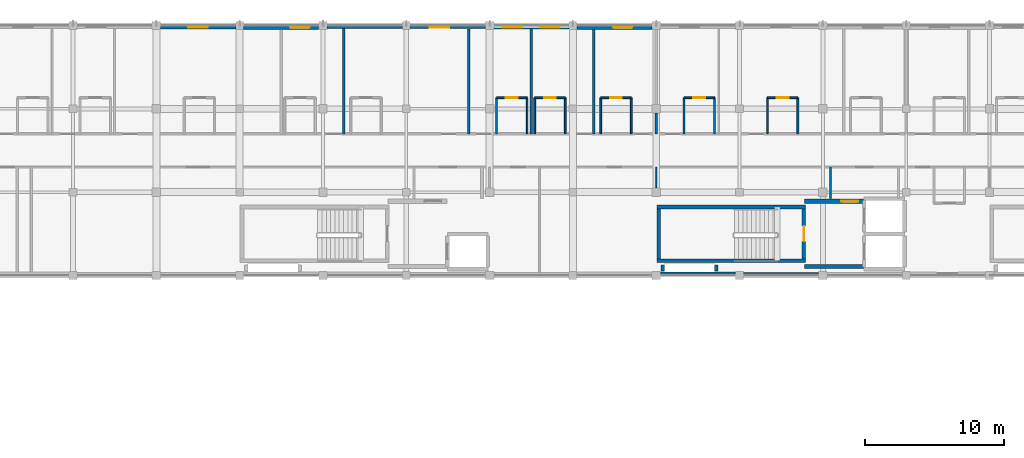
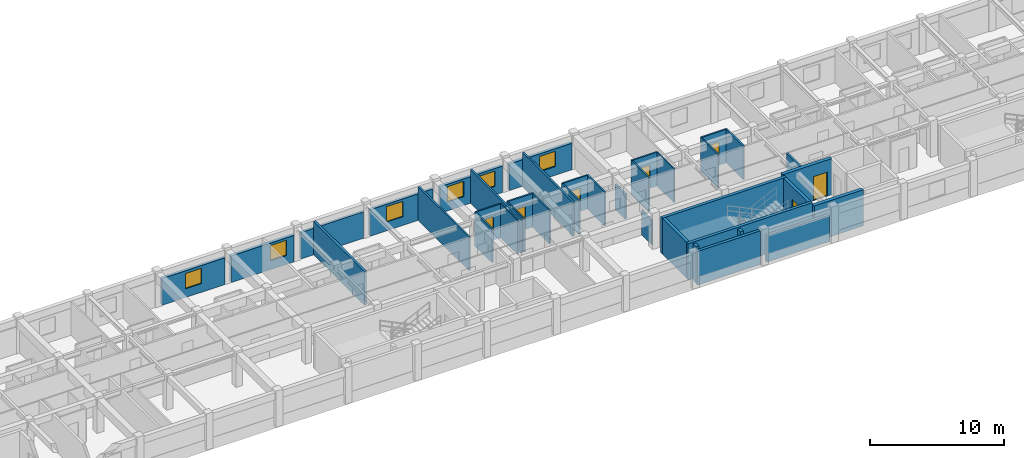
# One storey, part 13 of 21: 38 walls, 7 doors, 6 windows, 13 openings.
"""IFC4 building model written with IfcOpenShell, lengths in metres."""

from ifc_helpers import new_model, si_unit, direction, frame, frame_2d, origin, place, context, subcontext, project, spatial, rectangle, extrude, material, layer, layer_set, type_object, element, fill, save


model = new_model("IFC4")

# Units and contexts
model_context = context("Model", 3, precision=1e-05, world=origin(), true_north=direction((0.0, 1.0)))
body_context = subcontext(model_context, "Body", "Model", "MODEL_VIEW")
ifc_project = project(units=[si_unit("LENGTHUNIT", "METRE"), si_unit("AREAUNIT", "SQUARE_METRE"), si_unit("VOLUMEUNIT", "CUBIC_METRE"), si_unit("PLANEANGLEUNIT", "RADIAN"), si_unit("MASSUNIT", "GRAM", prefix="KILO"), si_unit("THERMODYNAMICTEMPERATUREUNIT", "KELVIN"), si_unit("POWERUNIT", "WATT")], contexts=[model_context])

# Site, building, storey
site_placement = place(None, origin())
site = spatial("IfcSite", under=ifc_project, at=site_placement, CompositionType="ELEMENT")
building_placement = place(site_placement, origin())
building = spatial("IfcBuilding", under=site, at=building_placement, Name="Phaisarnlok Congress Hotel", CompositionType="ELEMENT")
storey_placement = place(building_placement, frame((0.0, 0.0, 34.800048828125)))
storey = spatial("IfcBuildingStorey", under=building, at=storey_placement, Name="L08", CompositionType="ELEMENT", Elevation=34.800048828125)

# Wall
ifc_material_1 = material(Name="Concrete C40/50", Category="concrete")
ifc_layer_1 = layer(ifc_material_1, 0.2099609375, Name="Concrete C40/50")
ifc_layer_set_1 = layer_set([ifc_layer_1], Name="Concrete C40/50")
wall_type_1 = type_object("IfcWallType", Name="WL-EXT-210", PredefinedType="SOLIDWALL", material=ifc_layer_set_1)
wall_1_placement = place(storey_placement, frame((113.719970703125, 125.89501953125, 0.0), z_axis=(0.0, 0.0, 1.0), x_axis=(-1.0, 0.0, 0.0)))
element("IfcWall", 1, at=wall_1_placement, inside=storey, type_object=wall_type_1, Name="Exterior wall EW-07 (L08)", PredefinedType="SOLIDWALL", context=body_context, shape_type="SweptSolid", body=[
    extrude(rectangle(XDim=5.4150390625, YDim=0.2099609375, at=frame_2d((2.70751953125, 0.0))), origin(), (0.0, 0.0, 1.0), 2.419921875),
])

# Wall, opening, window
ifc_layer_2 = layer(ifc_material_1, 0.22998046875, Name="Concrete C40/50")
ifc_layer_set_2 = layer_set([ifc_layer_2], Name="Concrete C40/50")
wall_type_2 = type_object("IfcWallType", Name="WL-EXT-230", PredefinedType="SOLIDWALL", material=ifc_layer_set_2)
wall_2_placement = place(storey_placement, frame((119.695068359375, 125.885009765625, 0.0), z_axis=(0.0, 0.0, 1.0), x_axis=(-1.0, 0.0, 0.0)))
wall_2 = element("IfcWall", 2, at=wall_2_placement, inside=storey, type_object=wall_type_2, Name="Exterior wall EW-06 (L08)", PredefinedType="SOLIDWALL", context=body_context, shape_type="SweptSolid", body=[
    extrude(rectangle(XDim=5.4150390625, YDim=0.22998046875, at=frame_2d((2.70751953125, 0.0))), origin(), (0.0, 0.0, 1.0), 2.419921875),
])
opening_1_placement = place(wall_2_placement, frame((2.594970703125, 0.0, 0.800048828125)))
opening_1 = element("IfcOpeningElement", 3, at=opening_1_placement, cuts=wall_2, Name="Opening W-13", PredefinedType="OPENING", context=body_context, shape_type="SweptSolid", body=[
    extrude(rectangle(XDim=1.39990234375, YDim=1.39990234375, at=frame_2d((0.699951171875, 0.699951171875))), frame((0.0, 0.125, 0.0), z_axis=(0.0, -1.0, 0.0), x_axis=(1.0, 0.0, 0.0)), (0.0, 0.0, 1.0), 0.25),
])
ifc_material_2 = material(Name="Thermally Broken Aluminium & Low-E Double Glazing", Category="aluminium")
window_type = type_object("IfcWindowType", Name="WIN-POD-1400", PartitioningType="SINGLE_PANEL", PredefinedType="WINDOW", material=ifc_material_2)
window_1_placement = place(opening_1_placement, origin())
window_1 = element("IfcWindow", 4, at=window_1_placement, inside=storey, type_object=window_type, Name="Guestroom window W-13 (L08)", OverallHeight=1.39990234375, OverallWidth=1.39990234375, PartitioningType="SINGLE_PANEL", PredefinedType="WINDOW", context=body_context, shape_type="SweptSolid", body=[
    extrude(rectangle(XDim=1.39990234375, YDim=1.39990234375, at=frame_2d((0.699951171875, 0.699951171875))), frame((0.0, 0.030029296875, 0.0), z_axis=(0.0, -1.0, 0.0), x_axis=(1.0, 0.0, 0.0)), (0.0, 0.0, 1.0), 0.06005859375),
])
fill(opening_1, window_1)

# Wall
wall_3_placement = place(storey_placement, frame((138.280029296875, 108.114990234375, 0.0), z_axis=(0.0, 0.0, 1.0), x_axis=(1.0, 0.0, 0.0)))
element("IfcWall", 5, at=wall_3_placement, inside=storey, type_object=wall_type_2, Name="Exterior wall EW-06 (L08)", PredefinedType="SOLIDWALL", context=body_context, shape_type="SweptSolid", body=[
    extrude(rectangle(XDim=5.4150390625, YDim=0.22998046875, at=frame_2d((2.70751953125, 0.0))), origin(), (0.0, 0.0, 1.0), 2.419921875),
])

# Wall, openings, windows
ifc_layer_3 = layer(ifc_material_1, 0.25, Name="Concrete C40/50")
ifc_layer_set_3 = layer_set([ifc_layer_3], Name="Concrete C40/50")
wall_type_3 = type_object("IfcWallType", Name="WL-EXT-250", PredefinedType="SOLIDWALL", material=ifc_layer_set_3)
wall_4_placement = place(storey_placement, frame((125.719970703125, 125.875, 0.0), z_axis=(0.0, 0.0, 1.0), x_axis=(-1.0, 0.0, 0.0)))
wall_4 = element("IfcWall", 6, at=wall_4_placement, inside=storey, type_object=wall_type_3, Name="Exterior wall EW-05 (L08)", PredefinedType="SOLIDWALL", context=body_context, shape_type="SweptSolid", body=[
    extrude(rectangle(XDim=5.4150390625, YDim=0.25, at=frame_2d((2.70751953125, 0.0))), origin(), (0.0, 0.0, 1.0), 2.419921875),
])
opening_2_placement = place(wall_4_placement, frame((3.35791015625, 0.0, 0.800048828125)))
opening_2 = element("IfcOpeningElement", 7, at=opening_2_placement, cuts=wall_4, Name="Opening W-13", PredefinedType="OPENING", context=body_context, shape_type="SweptSolid", body=[
    extrude(rectangle(XDim=1.39990234375, YDim=1.39990234375, at=frame_2d((0.699951171875, 0.699951171875))), frame((0.0, 0.135009765625, 0.0), z_axis=(0.0, -1.0, 0.0), x_axis=(1.0, 0.0, 0.0)), (0.0, 0.0, 1.0), 0.27001953125),
])
opening_3_placement = place(wall_4_placement, frame((0.669921875, 0.0, 0.800048828125)))
opening_3 = element("IfcOpeningElement", 8, at=opening_3_placement, cuts=wall_4, Name="Opening W-13", PredefinedType="OPENING", context=body_context, shape_type="SweptSolid", body=[
    extrude(rectangle(XDim=1.39990234375, YDim=1.39990234375, at=frame_2d((0.699951171875, 0.699951171875))), frame((0.0, 0.135009765625, 0.0), z_axis=(0.0, -1.0, 0.0), x_axis=(1.0, 0.0, 0.0)), (0.0, 0.0, 1.0), 0.27001953125),
])
window_2_placement = place(opening_2_placement, origin())
window_2 = element("IfcWindow", 9, at=window_2_placement, inside=storey, type_object=window_type, Name="Guestroom window W-13 (L08)", OverallHeight=1.39990234375, OverallWidth=1.39990234375, PartitioningType="SINGLE_PANEL", PredefinedType="WINDOW", context=body_context, shape_type="SweptSolid", body=[
    extrude(rectangle(XDim=1.39990234375, YDim=1.39990234375, at=frame_2d((0.699951171875, 0.699951171875))), frame((0.0, 0.030029296875, 0.0), z_axis=(0.0, -1.0, 0.0), x_axis=(1.0, 0.0, 0.0)), (0.0, 0.0, 1.0), 0.06005859375),
])
fill(opening_2, window_2)
window_3_placement = place(opening_3_placement, origin())
window_3 = element("IfcWindow", 10, at=window_3_placement, inside=storey, type_object=window_type, Name="Guestroom window W-13 (L08)", OverallHeight=1.39990234375, OverallWidth=1.39990234375, PartitioningType="SINGLE_PANEL", PredefinedType="WINDOW", context=body_context, shape_type="SweptSolid", body=[
    extrude(rectangle(XDim=1.39990234375, YDim=1.39990234375, at=frame_2d((0.699951171875, 0.699951171875))), frame((0.0, 0.030029296875, 0.0), z_axis=(0.0, -1.0, 0.0), x_axis=(1.0, 0.0, 0.0)), (0.0, 0.0, 1.0), 0.06005859375),
])
fill(opening_3, window_3)

# Wall, opening, window
wall_5_placement = place(storey_placement, frame((101.719970703125, 125.875, 0.0), z_axis=(0.0, 0.0, 1.0), x_axis=(-1.0, 0.0, 0.0)))
wall_5 = element("IfcWall", 11, at=wall_5_placement, inside=storey, type_object=wall_type_3, Name="Exterior wall EW-05 (L08)", PredefinedType="SOLIDWALL", context=body_context, shape_type="SweptSolid", body=[
    extrude(rectangle(XDim=5.4150390625, YDim=0.25, at=frame_2d((2.70751953125, 0.0))), origin(), (0.0, 0.0, 1.0), 2.445068359375),
])
opening_4_placement = place(wall_5_placement, frame((2.007080078125, 0.0, 0.800048828125)))
opening_4 = element("IfcOpeningElement", 12, at=opening_4_placement, cuts=wall_5, Name="Opening W-13", PredefinedType="OPENING", context=body_context, shape_type="SweptSolid", body=[
    extrude(rectangle(XDim=1.39990234375, YDim=1.39990234375, at=frame_2d((0.699951171875, 0.699951171875))), frame((0.0, 0.135009765625, 0.0), z_axis=(0.0, -1.0, 0.0), x_axis=(1.0, 0.0, 0.0)), (0.0, 0.0, 1.0), 0.27001953125),
])
window_4_placement = place(opening_4_placement, origin())
window_4 = element("IfcWindow", 13, at=window_4_placement, inside=storey, type_object=window_type, Name="Guestroom window W-13 (L08)", OverallHeight=1.39990234375, OverallWidth=1.39990234375, PartitioningType="SINGLE_PANEL", PredefinedType="WINDOW", context=body_context, shape_type="SweptSolid", body=[
    extrude(rectangle(XDim=1.39990234375, YDim=1.39990234375, at=frame_2d((0.699951171875, 0.699951171875))), frame((0.0, 0.030029296875, 0.0), z_axis=(0.0, -1.0, 0.0), x_axis=(1.0, 0.0, 0.0)), (0.0, 0.0, 1.0), 0.06005859375),
])
fill(opening_4, window_4)

# Wall
wall_6_placement = place(storey_placement, frame((132.304931640625, 108.125, 0.0), z_axis=(0.0, 0.0, 1.0), x_axis=(1.0, 0.0, 0.0)))
element("IfcWall", 14, at=wall_6_placement, inside=storey, type_object=wall_type_3, Name="Exterior wall EW-05 (L08)", PredefinedType="SOLIDWALL", context=body_context, shape_type="SweptSolid", body=[
    extrude(rectangle(XDim=5.4150390625, YDim=0.25, at=frame_2d((2.70751953125, 0.0))), origin(), (0.0, 0.0, 1.0), 3.070068359375),
])

# Wall, opening, window
ifc_layer_4 = layer(ifc_material_1, 0.27001953125, Name="Concrete C40/50")
ifc_layer_set_4 = layer_set([ifc_layer_4], Name="Concrete C40/50")
wall_type_4 = type_object("IfcWallType", Name="WL-EXT-270", PredefinedType="SOLIDWALL", material=ifc_layer_set_4)
wall_7_placement = place(storey_placement, frame((131.695068359375, 125.864990234375, 0.0), z_axis=(0.0, 0.0, 1.0), x_axis=(-1.0, 0.0, 0.0)))
wall_7 = element("IfcWall", 15, at=wall_7_placement, inside=storey, type_object=wall_type_4, Name="Exterior wall EW-04 (L08)", PredefinedType="SOLIDWALL", context=body_context, shape_type="SweptSolid", body=[
    extrude(rectangle(XDim=5.4150390625, YDim=0.27001953125, at=frame_2d((2.70751953125, 0.0))), origin(), (0.0, 0.0, 1.0), 2.419921875),
])
opening_5_placement = place(wall_7_placement, frame((1.407958984375, 0.0, 0.800048828125)))
opening_5 = element("IfcOpeningElement", 16, at=opening_5_placement, cuts=wall_7, Name="Opening W-13", PredefinedType="OPENING", context=body_context, shape_type="SweptSolid", body=[
    extrude(rectangle(XDim=1.39990234375, YDim=1.39990234375, at=frame_2d((0.699951171875, 0.699951171875))), frame((0.0, 0.14501953125, 0.0), z_axis=(0.0, -1.0, 0.0), x_axis=(1.0, 0.0, 0.0)), (0.0, 0.0, 1.0), 0.2900390625),
])
window_5_placement = place(opening_5_placement, origin())
window_5 = element("IfcWindow", 17, at=window_5_placement, inside=storey, type_object=window_type, Name="Guestroom window W-13 (L08)", OverallHeight=1.39990234375, OverallWidth=1.39990234375, PartitioningType="SINGLE_PANEL", PredefinedType="WINDOW", context=body_context, shape_type="SweptSolid", body=[
    extrude(rectangle(XDim=1.39990234375, YDim=1.39990234375, at=frame_2d((0.699951171875, 0.699951171875))), frame((0.0, 0.030029296875, 0.0), z_axis=(0.0, -1.0, 0.0), x_axis=(1.0, 0.0, 0.0)), (0.0, 0.0, 1.0), 0.06005859375),
])
fill(opening_5, window_5)

wall_8_placement = place(storey_placement, frame((107.695068359375, 125.864990234375, 0.0), z_axis=(0.0, 0.0, 1.0), x_axis=(-1.0, 0.0, 0.0)))
wall_8 = element("IfcWall", 18, at=wall_8_placement, inside=storey, type_object=wall_type_4, Name="Exterior wall EW-04 (L08)", PredefinedType="SOLIDWALL", context=body_context, shape_type="SweptSolid", body=[
    extrude(rectangle(XDim=5.4150390625, YDim=0.27001953125, at=frame_2d((2.70751953125, 0.0))), origin(), (0.0, 0.0, 1.0), 2.419921875),
])
opening_6_placement = place(wall_8_placement, frame((0.656982421875, 0.0, 0.800048828125)))
opening_6 = element("IfcOpeningElement", 19, at=opening_6_placement, cuts=wall_8, Name="Opening W-13", PredefinedType="OPENING", context=body_context, shape_type="SweptSolid", body=[
    extrude(rectangle(XDim=1.39990234375, YDim=1.39990234375, at=frame_2d((0.699951171875, 0.699951171875))), frame((0.0, 0.14501953125, 0.0), z_axis=(0.0, -1.0, 0.0), x_axis=(1.0, 0.0, 0.0)), (0.0, 0.0, 1.0), 0.2900390625),
])
window_6_placement = place(opening_6_placement, origin())
window_6 = element("IfcWindow", 20, at=window_6_placement, inside=storey, type_object=window_type, Name="Guestroom window W-13 (L08)", OverallHeight=1.39990234375, OverallWidth=1.39990234375, PartitioningType="SINGLE_PANEL", PredefinedType="WINDOW", context=body_context, shape_type="SweptSolid", body=[
    extrude(rectangle(XDim=1.39990234375, YDim=1.39990234375, at=frame_2d((0.699951171875, 0.699951171875))), frame((0.0, 0.030029296875, 0.0), z_axis=(0.0, -1.0, 0.0), x_axis=(1.0, 0.0, 0.0)), (0.0, 0.0, 1.0), 0.06005859375),
])
fill(opening_6, window_6)

# Walls
ifc_material_3 = material(Name="Service Riser Shaftwall Partition", Category="gypsum")
ifc_layer_5 = layer(ifc_material_3, 0.10498046875, Name="Service Riser Shaftwall Partition")
ifc_layer_set_5 = layer_set([ifc_layer_5], Name="Service Riser Shaftwall Partition")
wall_type_5 = type_object("IfcWallType", Name="WL-INT-105", PredefinedType="PARTITIONING", material=ifc_layer_set_5)
wall_9_placement = place(storey_placement, frame((132.0, 114.304931640625, 0.0), z_axis=(0.0, 0.0, 1.0), x_axis=(0.0, 1.0, 0.0)))
element("IfcWall", 21, at=wall_9_placement, inside=storey, type_object=wall_type_5, Name="Interior partition wall IW-08 (L08)", PredefinedType="PARTITIONING", context=body_context, shape_type="SweptSolid", body=[
    extrude(rectangle(XDim=1.4951171875, YDim=0.10498046875, at=frame_2d((0.74755859375, 0.0))), origin(), (0.0, 0.0, 1.0), 2.27001953125),
])
ifc_material_4 = material(Name="Lightweight Metal-Stud Gypsum Partition", Category="gypsum")
ifc_layer_6 = layer(ifc_material_4, 0.1201171875, Name="Lightweight Metal-Stud Gypsum Partition")
ifc_layer_set_6 = layer_set([ifc_layer_6], Name="Lightweight Metal-Stud Gypsum Partition")
wall_type_6 = type_object("IfcWallType", Name="WL-INT-120", PredefinedType="PARTITIONING", material=ifc_layer_set_6)
for number, where, z_axis, x_axis, name in (
    (22, (122.699951171875, 118.199951171875, 0.0), (0.0, 0.0, 1.0), (0.0, 1.0, 0.0), "Interior partition wall IW-07 (L08)"),
    (23, (123.25, 118.199951171875, 0.0), (0.0, 0.0, 1.0), (0.0, 1.0, 0.0), "Interior partition wall IW-07 (L08)"),
    (24, (125.449951171875, 118.199951171875, 0.0), (0.0, 0.0, 1.0), (0.0, 1.0, 0.0), "Interior partition wall IW-07 (L08)"),
    (25, (128.0, 118.199951171875, 0.0), (0.0, 0.0, 1.0), (0.0, 1.0, 0.0), "Interior partition wall IW-07 (L08)"),
    (26, (136.199951171875, 118.199951171875, 0.0), (0.0, 0.0, 1.0), (0.0, 1.0, 0.0), "Interior partition wall IW-07 (L08)"),
    (27, (140.0, 118.199951171875, 0.0), (0.0, 0.0, 1.0), (0.0, 1.0, 0.0), "Interior partition wall IW-07 (L08)"),
):
    element("IfcWall", number, at=place(storey_placement, frame(where, z_axis=z_axis, x_axis=x_axis)), inside=storey, type_object=wall_type_6, Name=name, PredefinedType="PARTITIONING", context=body_context, shape_type="SweptSolid", body=[
        extrude(rectangle(XDim=2.60009765625, YDim=0.1201171875, at=frame_2d((1.300048828125, 0.0))), origin(), (0.0, 0.0, 1.0), 3.070068359375),
    ])

# Wall, opening, door
wall_10_placement = place(storey_placement, frame((120.5, 120.800048828125, 0.0), z_axis=(0.0, 0.0, 1.0), x_axis=(1.0, 0.0, 0.0)))
wall_10 = element("IfcWall", 28, at=wall_10_placement, inside=storey, type_object=wall_type_6, Name="Interior partition wall IW-07 (L08)", PredefinedType="PARTITIONING", context=body_context, shape_type="SweptSolid", body=[
    extrude(rectangle(XDim=2.199951171875, YDim=0.1201171875, at=frame_2d((1.10009765625, 0.0))), origin(), (0.0, 0.0, 1.0), 3.070068359375),
])
opening_7_placement = place(wall_10_placement, frame((0.675048828125, 0.0, 0.0)))
opening_7 = element("IfcOpeningElement", 29, at=opening_7_placement, cuts=wall_10, Name="Opening D-0421", PredefinedType="OPENING", context=body_context, shape_type="SweptSolid", body=[
    extrude(rectangle(XDim=0.85009765625, YDim=2.10009765625, at=frame_2d((0.425048828125, 1.050048828125))), frame((0.0, 0.070068359375, 0.0), z_axis=(0.0, -1.0, 0.0), x_axis=(1.0, 0.0, 0.0)), (0.0, 0.0, 1.0), 0.14013671875),
])
ifc_material_5 = material(Name="Moisture-Resistant Lacquered Timber", Category="wood")
door_type_1 = type_object("IfcDoorType", Name="DR-BATH-850", OperationType="NOTDEFINED", PredefinedType="DOOR", material=ifc_material_5)
door_1_placement = place(opening_7_placement, origin())
door_1 = element("IfcDoor", 30, at=door_1_placement, inside=storey, type_object=door_type_1, Name="Interior door D-0421 (L08)", OperationType="SINGLE_SWING_RIGHT", OverallHeight=2.10009765625, OverallWidth=0.85009765625, PredefinedType="DOOR", context=body_context, shape_type="SweptSolid", body=[
    extrude(rectangle(XDim=0.85009765625, YDim=2.10009765625, at=frame_2d((0.425048828125, 1.050048828125))), frame((0.0, 0.02490234375, 0.0), z_axis=(0.0, -1.0, 0.0), x_axis=(1.0, 0.0, 0.0)), (0.0, 0.0, 1.0), 0.050048828125),
])
fill(opening_7, door_1)

wall_11_placement = place(storey_placement, frame((128.0, 120.800048828125, 0.0), z_axis=(0.0, 0.0, 1.0), x_axis=(1.0, 0.0, 0.0)))
wall_11 = element("IfcWall", 31, at=wall_11_placement, inside=storey, type_object=wall_type_6, Name="Interior partition wall IW-07 (L08)", PredefinedType="PARTITIONING", context=body_context, shape_type="SweptSolid", body=[
    extrude(rectangle(XDim=2.199951171875, YDim=0.1201171875, at=frame_2d((1.10009765625, 0.0))), origin(), (0.0, 0.0, 1.0), 3.070068359375),
])
opening_8_placement = place(wall_11_placement, frame((0.675048828125, 0.0, 0.0)))
opening_8 = element("IfcOpeningElement", 32, at=opening_8_placement, cuts=wall_11, Name="Opening D-0425", PredefinedType="OPENING", context=body_context, shape_type="SweptSolid", body=[
    extrude(rectangle(XDim=0.85009765625, YDim=2.10009765625, at=frame_2d((0.425048828125, 1.050048828125))), frame((0.0, 0.070068359375, 0.0), z_axis=(0.0, -1.0, 0.0), x_axis=(1.0, 0.0, 0.0)), (0.0, 0.0, 1.0), 0.14013671875),
])
door_2_placement = place(opening_8_placement, origin())
door_2 = element("IfcDoor", 33, at=door_2_placement, inside=storey, type_object=door_type_1, Name="Interior door D-0425 (L08)", OperationType="SINGLE_SWING_RIGHT", OverallHeight=2.10009765625, OverallWidth=0.85009765625, PredefinedType="DOOR", context=body_context, shape_type="SweptSolid", body=[
    extrude(rectangle(XDim=0.85009765625, YDim=2.10009765625, at=frame_2d((0.425048828125, 1.050048828125))), frame((0.0, 0.02490234375, 0.0), z_axis=(0.0, -1.0, 0.0), x_axis=(1.0, 0.0, 0.0)), (0.0, 0.0, 1.0), 0.050048828125),
])
fill(opening_8, door_2)

wall_12_placement = place(storey_placement, frame((140.0, 120.800048828125, 0.0), z_axis=(0.0, 0.0, 1.0), x_axis=(1.0, 0.0, 0.0)))
wall_12 = element("IfcWall", 34, at=wall_12_placement, inside=storey, type_object=wall_type_6, Name="Interior partition wall IW-07 (L08)", PredefinedType="PARTITIONING", context=body_context, shape_type="SweptSolid", body=[
    extrude(rectangle(XDim=2.199951171875, YDim=0.1201171875, at=frame_2d((1.10009765625, 0.0))), origin(), (0.0, 0.0, 1.0), 3.070068359375),
])
opening_9_placement = place(wall_12_placement, frame((0.675048828125, 0.0, 0.0)))
opening_9 = element("IfcOpeningElement", 35, at=opening_9_placement, cuts=wall_12, Name="Opening D-0429", PredefinedType="OPENING", context=body_context, shape_type="SweptSolid", body=[
    extrude(rectangle(XDim=0.85009765625, YDim=2.10009765625, at=frame_2d((0.425048828125, 1.050048828125))), frame((0.0, 0.070068359375, 0.0), z_axis=(0.0, -1.0, 0.0), x_axis=(1.0, 0.0, 0.0)), (0.0, 0.0, 1.0), 0.14013671875),
])
door_3_placement = place(opening_9_placement, origin())
door_3 = element("IfcDoor", 36, at=door_3_placement, inside=storey, type_object=door_type_1, Name="Interior door D-0429 (L08)", OperationType="SINGLE_SWING_RIGHT", OverallHeight=2.10009765625, OverallWidth=0.85009765625, PredefinedType="DOOR", context=body_context, shape_type="SweptSolid", body=[
    extrude(rectangle(XDim=0.85009765625, YDim=2.10009765625, at=frame_2d((0.425048828125, 1.050048828125))), frame((0.0, 0.02490234375, 0.0), z_axis=(0.0, -1.0, 0.0), x_axis=(1.0, 0.0, 0.0)), (0.0, 0.0, 1.0), 0.050048828125),
])
fill(opening_9, door_3)

# Walls
ifc_material_6 = material(Name="Moisture-Resistant Gypsum Partition", Category="gypsum")
ifc_layer_7 = layer(ifc_material_6, 0.135009765625, Name="Moisture-Resistant Gypsum Partition")
ifc_layer_set_7 = layer_set([ifc_layer_7], Name="Moisture-Resistant Gypsum Partition")
wall_type_7 = type_object("IfcWallType", Name="WL-INT-135", PredefinedType="PARTITIONING", material=ifc_layer_set_7)
for number, where, z_axis, x_axis, name in (
    (37, (120.5, 118.199951171875, 0.0), (0.0, 0.0, 1.0), (0.0, 1.0, 0.0), "Interior partition wall IW-06 (L08)"),
    (38, (130.199951171875, 118.199951171875, 0.0), (0.0, 0.0, 1.0), (0.0, 1.0, 0.0), "Interior partition wall IW-06 (L08)"),
    (39, (134.0, 118.199951171875, 0.0), (0.0, 0.0, 1.0), (0.0, 1.0, 0.0), "Interior partition wall IW-06 (L08)"),
    (40, (142.199951171875, 118.199951171875, 0.0), (0.0, 0.0, 1.0), (0.0, 1.0, 0.0), "Interior partition wall IW-06 (L08)"),
):
    element("IfcWall", number, at=place(storey_placement, frame(where, z_axis=z_axis, x_axis=x_axis)), inside=storey, type_object=wall_type_7, Name=name, PredefinedType="PARTITIONING", context=body_context, shape_type="SweptSolid", body=[
        extrude(rectangle(XDim=2.60009765625, YDim=0.135009765625, at=frame_2d((1.300048828125, 0.0))), origin(), (0.0, 0.0, 1.0), 3.070068359375),
    ])

# Wall, opening, door
wall_13_placement = place(storey_placement, frame((123.25, 120.800048828125, 0.0), z_axis=(0.0, 0.0, 1.0), x_axis=(1.0, 0.0, 0.0)))
wall_13 = element("IfcWall", 41, at=wall_13_placement, inside=storey, type_object=wall_type_7, Name="Interior partition wall IW-06 (L08)", PredefinedType="PARTITIONING", context=body_context, shape_type="SweptSolid", body=[
    extrude(rectangle(XDim=2.199951171875, YDim=0.135009765625, at=frame_2d((1.10009765625, 0.0))), origin(), (0.0, 0.0, 1.0), 3.070068359375),
])
opening_10_placement = place(wall_13_placement, frame((0.675048828125, 0.0, 0.0)))
opening_10 = element("IfcOpeningElement", 42, at=opening_10_placement, cuts=wall_13, Name="Opening D-0423", PredefinedType="OPENING", context=body_context, shape_type="SweptSolid", body=[
    extrude(rectangle(XDim=0.85009765625, YDim=2.10009765625, at=frame_2d((0.425048828125, 1.050048828125))), frame((0.0, 0.07763671875, 0.0), z_axis=(0.0, -1.0, 0.0), x_axis=(1.0, 0.0, 0.0)), (0.0, 0.0, 1.0), 0.155029296875),
])
door_4_placement = place(opening_10_placement, origin())
door_4 = element("IfcDoor", 43, at=door_4_placement, inside=storey, type_object=door_type_1, Name="Interior door D-0423 (L08)", OperationType="SINGLE_SWING_RIGHT", OverallHeight=2.10009765625, OverallWidth=0.85009765625, PredefinedType="DOOR", context=body_context, shape_type="SweptSolid", body=[
    extrude(rectangle(XDim=0.85009765625, YDim=2.10009765625, at=frame_2d((0.425048828125, 1.050048828125))), frame((0.0, 0.02490234375, 0.0), z_axis=(0.0, -1.0, 0.0), x_axis=(1.0, 0.0, 0.0)), (0.0, 0.0, 1.0), 0.050048828125),
])
fill(opening_10, door_4)

wall_14_placement = place(storey_placement, frame((134.0, 120.800048828125, 0.0), z_axis=(0.0, 0.0, 1.0), x_axis=(1.0, 0.0, 0.0)))
wall_14 = element("IfcWall", 44, at=wall_14_placement, inside=storey, type_object=wall_type_7, Name="Interior partition wall IW-06 (L08)", PredefinedType="PARTITIONING", context=body_context, shape_type="SweptSolid", body=[
    extrude(rectangle(XDim=2.199951171875, YDim=0.135009765625, at=frame_2d((1.10009765625, 0.0))), origin(), (0.0, 0.0, 1.0), 3.070068359375),
])
opening_11_placement = place(wall_14_placement, frame((0.675048828125, 0.0, 0.0)))
opening_11 = element("IfcOpeningElement", 45, at=opening_11_placement, cuts=wall_14, Name="Opening D-0427", PredefinedType="OPENING", context=body_context, shape_type="SweptSolid", body=[
    extrude(rectangle(XDim=0.85009765625, YDim=2.10009765625, at=frame_2d((0.425048828125, 1.050048828125))), frame((0.0, 0.07763671875, 0.0), z_axis=(0.0, -1.0, 0.0), x_axis=(1.0, 0.0, 0.0)), (0.0, 0.0, 1.0), 0.155029296875),
])
door_5_placement = place(opening_11_placement, origin())
door_5 = element("IfcDoor", 46, at=door_5_placement, inside=storey, type_object=door_type_1, Name="Interior door D-0427 (L08)", OperationType="SINGLE_SWING_RIGHT", OverallHeight=2.10009765625, OverallWidth=0.85009765625, PredefinedType="DOOR", context=body_context, shape_type="SweptSolid", body=[
    extrude(rectangle(XDim=0.85009765625, YDim=2.10009765625, at=frame_2d((0.425048828125, 1.050048828125))), frame((0.0, 0.02490234375, 0.0), z_axis=(0.0, -1.0, 0.0), x_axis=(1.0, 0.0, 0.0)), (0.0, 0.0, 1.0), 0.050048828125),
])
fill(opening_11, door_5)

# Walls
ifc_material_7 = material(Name="Acoustic Gypsum Board & Mineral Wool", Category="gypsum")
ifc_layer_8 = layer(ifc_material_7, 0.14990234375, Name="Acoustic Gypsum Board & Mineral Wool")
ifc_layer_set_8 = layer_set([ifc_layer_8], Name="Acoustic Gypsum Board & Mineral Wool")
wall_type_8 = type_object("IfcWallType", Name="WL-INT-150", PredefinedType="PARTITIONING", material=ifc_layer_set_8)
wall_15_placement = place(storey_placement, frame((118.5, 118.199951171875, 0.0), z_axis=(0.0, 0.0, 1.0), x_axis=(0.0, 1.0, 0.0)))
element("IfcWall", 47, at=wall_15_placement, inside=storey, type_object=wall_type_8, Name="Interior partition wall IW-05 (L08)", PredefinedType="PARTITIONING", context=body_context, shape_type="SweptSolid", body=[
    extrude(rectangle(XDim=7.56494140625, YDim=0.14990234375, at=frame_2d((3.782470703125, 0.0))), origin(), (0.0, 0.0, 1.0), 3.070068359375),
])
wall_16_placement = place(storey_placement, frame((123.0, 118.199951171875, 0.0), z_axis=(0.0, 0.0, 1.0), x_axis=(0.0, 1.0, 0.0)))
element("IfcWall", 48, at=wall_16_placement, inside=storey, type_object=wall_type_8, Name="Interior partition wall IW-05 (L08)", PredefinedType="PARTITIONING", context=body_context, shape_type="SweptSolid", body=[
    extrude(rectangle(XDim=7.545166015625, YDim=0.14990234375, at=frame_2d((3.7724609375, 0.0))), origin(), (0.0, 0.0, 1.0), 3.070068359375),
])
wall_17_placement = place(storey_placement, frame((144.550048828125, 113.56005859375, 0.0), z_axis=(0.0, 0.0, 1.0), x_axis=(0.0, 1.0, 0.0)))
element("IfcWall", 49, at=wall_17_placement, inside=storey, type_object=wall_type_8, Name="Interior partition wall IW-05 (L08)", PredefinedType="PARTITIONING", context=body_context, shape_type="SweptSolid", body=[
    extrude(rectangle(XDim=2.239990234375, YDim=0.14990234375, at=frame_2d((1.1201171875, 0.0))), origin(), (0.0, 0.0, 1.0), 3.070068359375),
])
ifc_material_8 = material(Name="Double-Stud Acoustic Gypsum Partition", Category="gypsum")
ifc_layer_9 = layer(ifc_material_8, 0.159912109375, Name="Double-Stud Acoustic Gypsum Partition")
ifc_layer_set_9 = layer_set([ifc_layer_9], Name="Double-Stud Acoustic Gypsum Partition")
wall_type_9 = type_object("IfcWallType", Name="WL-INT-160", PredefinedType="PARTITIONING", material=ifc_layer_set_9)
wall_18_placement = place(storey_placement, frame((127.5, 118.199951171875, 0.0), z_axis=(0.0, 0.0, 1.0), x_axis=(0.0, 1.0, 0.0)))
element("IfcWall", 50, at=wall_18_placement, inside=storey, type_object=wall_type_9, Name="Interior partition wall IW-04 (L08)", PredefinedType="PARTITIONING", context=body_context, shape_type="SweptSolid", body=[
    extrude(rectangle(XDim=7.525146484375, YDim=0.159912109375, at=frame_2d((3.7626953125, 0.0))), origin(), (0.0, 0.0, 1.0), 3.070068359375),
])
ifc_material_9 = material(Name="Autoclaved Aerated Concrete Block", Category="concrete")
ifc_layer_10 = layer(ifc_material_9, 0.179931640625, Name="Autoclaved Aerated Concrete Block")
ifc_layer_set_10 = layer_set([ifc_layer_10], Name="Autoclaved Aerated Concrete Block")
wall_type_10 = type_object("IfcWallType", Name="WL-INT-180", PredefinedType="PARTITIONING", material=ifc_layer_set_10)
wall_19_placement = place(storey_placement, frame((132.0, 118.199951171875, 0.0), z_axis=(0.0, 0.0, 1.0), x_axis=(0.0, 1.0, 0.0)))
element("IfcWall", 51, at=wall_19_placement, inside=storey, type_object=wall_type_10, Name="Interior partition wall IW-03 (L08)", PredefinedType="PARTITIONING", context=body_context, shape_type="SweptSolid", body=[
    extrude(rectangle(XDim=1.4951171875, YDim=0.179931640625, at=frame_2d((0.74755859375, 0.0))), origin(), (0.0, 0.0, 1.0), 2.27001953125),
])
ifc_layer_11 = layer(ifc_material_9, 0.199951171875, Name="Autoclaved Aerated Concrete Block")
ifc_layer_set_11 = layer_set([ifc_layer_11], Name="Autoclaved Aerated Concrete Block")
wall_type_11 = type_object("IfcWallType", Name="WL-INT-200", PredefinedType="PARTITIONING", material=ifc_layer_set_11)
wall_20_placement = place(storey_placement, frame((109.5, 118.199951171875, 0.0), z_axis=(0.0, 0.0, 1.0), x_axis=(0.0, 1.0, 0.0)))
element("IfcWall", 52, at=wall_20_placement, inside=storey, type_object=wall_type_11, Name="Interior partition wall IW-02 (L08)", PredefinedType="PARTITIONING", context=body_context, shape_type="SweptSolid", body=[
    extrude(rectangle(XDim=7.5849609375, YDim=0.199951171875, at=frame_2d((3.79248046875, 0.0))), origin(), (0.0, 0.0, 1.0), 3.070068359375),
])
ifc_material_10 = material(Name="Concrete C50/60", Category="concrete")
ifc_layer_12 = layer(ifc_material_10, 0.260009765625, Name="Concrete C50/60")
ifc_layer_set_12 = layer_set([ifc_layer_12], Name="Concrete C50/60")
wall_type_12 = type_object("IfcWallType", Name="WL-SHR-260", PredefinedType="SHEAR", material=ifc_layer_set_12)
for number, where, z_axis, x_axis, name in (
    (53, (132.0400390625, 109.070068359375, 0.0), (0.0, 0.0, 1.0), (1.0, 0.0, 0.0), "Stair shaft shear wall SW-04 (CORE-2 L08)"),
    (54, (132.0400390625, 112.929931640625, 0.0), (0.0, 0.0, 1.0), (1.0, 0.0, 0.0), "Stair shaft shear wall SW-04 (CORE-2 L08)"),
):
    element("IfcWall", number, at=place(storey_placement, frame(where, z_axis=z_axis, x_axis=x_axis)), inside=storey, type_object=wall_type_12, Name=name, PredefinedType="SHEAR", context=body_context, shape_type="SweptSolid", body=[
        extrude(rectangle(XDim=10.719970703125, YDim=0.260009765625, at=frame_2d((5.35986328125, 0.0))), origin(), (0.0, 0.0, 1.0), 3.300048828125),
    ])
wall_21_placement = place(storey_placement, frame((132.169921875, 109.199951171875, 0.0), z_axis=(0.0, 0.0, 1.0), x_axis=(0.0, 1.0, 0.0)))
element("IfcWall", 55, at=wall_21_placement, inside=storey, type_object=wall_type_12, Name="Stair shaft shear wall SW-04 (CORE-2 L08)", PredefinedType="SHEAR", context=body_context, shape_type="SweptSolid", body=[
    extrude(rectangle(XDim=3.60009765625, YDim=0.260009765625, at=frame_2d((1.800048828125, 0.0))), origin(), (0.0, 0.0, 1.0), 3.300048828125),
])

# Wall, opening, door
wall_22_placement = place(storey_placement, frame((142.6298828125, 109.199951171875, 0.0), z_axis=(0.0, 0.0, 1.0), x_axis=(0.0, 1.0, 0.0)))
wall_22 = element("IfcWall", 56, at=wall_22_placement, inside=storey, type_object=wall_type_12, Name="Stair shaft shear wall SW-04 (CORE-2 L08)", PredefinedType="SHEAR", context=body_context, shape_type="SweptSolid", body=[
    extrude(rectangle(XDim=3.60009765625, YDim=0.260009765625, at=frame_2d((1.800048828125, 0.0))), origin(), (0.0, 0.0, 1.0), 3.300048828125),
])
opening_12_placement = place(wall_22_placement, frame((1.25, 0.0, 0.0)))
opening_12 = element("IfcOpeningElement", 57, at=opening_12_placement, cuts=wall_22, Name="Opening FD-040", PredefinedType="OPENING", context=body_context, shape_type="SweptSolid", body=[
    extrude(rectangle(XDim=1.10009765625, YDim=2.14990234375, at=frame_2d((0.550048828125, 1.074951171875))), frame((0.0, 0.14013671875, 0.0), z_axis=(0.0, -1.0, 0.0), x_axis=(1.0, 0.0, 0.0)), (0.0, 0.0, 1.0), 0.280029296875),
])
ifc_material_11 = material(Name="Fire-Rated Steel Frame & Timber Leaf", Category="steel")
door_type_2 = type_object("IfcDoorType", Name="DR-FD60-1100", OperationType="NOTDEFINED", PredefinedType="DOOR", material=ifc_material_11)
door_6_placement = place(opening_12_placement, origin())
door_6 = element("IfcDoor", 58, at=door_6_placement, inside=storey, type_object=door_type_2, Name="Stair enclosure fire door FD-040 (L08)", OperationType="SINGLE_SWING_LEFT", OverallHeight=2.14990234375, OverallWidth=1.10009765625, PredefinedType="DOOR", context=body_context, shape_type="SweptSolid", body=[
    extrude(rectangle(XDim=1.10009765625, YDim=2.14990234375, at=frame_2d((0.550048828125, 1.074951171875))), frame((0.0, 0.02490234375, 0.0), z_axis=(0.0, -1.0, 0.0), x_axis=(1.0, 0.0, 0.0)), (0.0, 0.0, 1.0), 0.050048828125),
])
fill(opening_12, door_6)

# Walls
for number, where, z_axis, x_axis, name in (
    (59, (132.469970703125, 108.330078125, 0.0), (0.0, 0.0, 1.0), (0.0, 1.0, 0.0), "Service riser shaft wall SW-04 (CORE-2 L08)"),
    (60, (136.330078125, 108.330078125, 0.0), (0.0, 0.0, 1.0), (0.0, 1.0, 0.0), "Service riser shaft wall SW-04 (CORE-2 L08)"),
):
    element("IfcWall", number, at=place(storey_placement, frame(where, z_axis=z_axis, x_axis=x_axis)), inside=storey, type_object=wall_type_12, Name=name, PredefinedType="SHEAR", context=body_context, shape_type="SweptSolid", body=[
        extrude(rectangle(XDim=0.43994140625, YDim=0.260009765625, at=frame_2d((0.219970703125, 0.0))), origin(), (0.0, 0.0, 1.0), 3.300048828125),
    ])

# Wall, opening, door
ifc_layer_13 = layer(ifc_material_10, 0.300048828125, Name="Concrete C50/60")
ifc_layer_set_13 = layer_set([ifc_layer_13], Name="Concrete C50/60")
wall_type_13 = type_object("IfcWallType", Name="WL-SHR-300", PredefinedType="SHEAR", material=ifc_layer_set_13)
wall_23_placement = place(storey_placement, frame((142.679931640625, 113.35009765625, 0.0), z_axis=(0.0, 0.0, 1.0), x_axis=(1.0, 0.0, 0.0)))
wall_23 = element("IfcWall", 61, at=wall_23_placement, inside=storey, type_object=wall_type_13, Name="Core lobby EI-120 wall SW-03 (CORE-2 L08)", PredefinedType="SHEAR", context=body_context, shape_type="SweptSolid", body=[
    extrude(rectangle(XDim=4.239990234375, YDim=0.300048828125, at=frame_2d((2.1201171875, 0.0))), origin(), (0.0, 0.0, 1.0), 3.300048828125),
])
opening_13_placement = place(wall_23_placement, frame((2.64990234375, 0.0, 0.0)))
opening_13 = element("IfcOpeningElement", 62, at=opening_13_placement, cuts=wall_23, Name="Opening FD-055", PredefinedType="OPENING", context=body_context, shape_type="SweptSolid", body=[
    extrude(rectangle(XDim=1.199951171875, YDim=2.199951171875, at=frame_2d((0.60009765625, 1.10009765625))), frame((0.0, 0.16015625, 0.0), z_axis=(0.0, -1.0, 0.0), x_axis=(1.0, 0.0, 0.0)), (0.0, 0.0, 1.0), 0.320068359375),
])
door_type_3 = type_object("IfcDoorType", Name="DR-FD60-1200", OperationType="NOTDEFINED", PredefinedType="DOOR", material=ifc_material_11)
door_7_placement = place(opening_13_placement, origin())
door_7 = element("IfcDoor", 63, at=door_7_placement, inside=storey, type_object=door_type_3, Name="Firefighting lobby entrance door FD-055 (CORE-2 L08)", OperationType="SINGLE_SWING_RIGHT", OverallHeight=2.199951171875, OverallWidth=1.199951171875, PredefinedType="DOOR", context=body_context, shape_type="SweptSolid", body=[
    extrude(rectangle(XDim=1.199951171875, YDim=2.199951171875, at=frame_2d((0.60009765625, 1.10009765625))), frame((0.0, 0.02490234375, 0.0), z_axis=(0.0, -1.0, 0.0), x_axis=(1.0, 0.0, 0.0)), (0.0, 0.0, 1.0), 0.050048828125),
])
fill(opening_13, door_7)

# Wall
wall_24_placement = place(storey_placement, frame((142.679931640625, 108.64990234375, 0.0), z_axis=(0.0, 0.0, 1.0), x_axis=(1.0, 0.0, 0.0)))
element("IfcWall", 64, at=wall_24_placement, inside=storey, type_object=wall_type_13, Name="Core lobby EI-120 wall SW-03 (CORE-2 L08)", PredefinedType="SHEAR", context=body_context, shape_type="SweptSolid", body=[
    extrude(rectangle(XDim=4.239990234375, YDim=0.300048828125, at=frame_2d((2.1201171875, 0.0))), origin(), (0.0, 0.0, 1.0), 3.300048828125),
])

save(model, "model.ifc")
